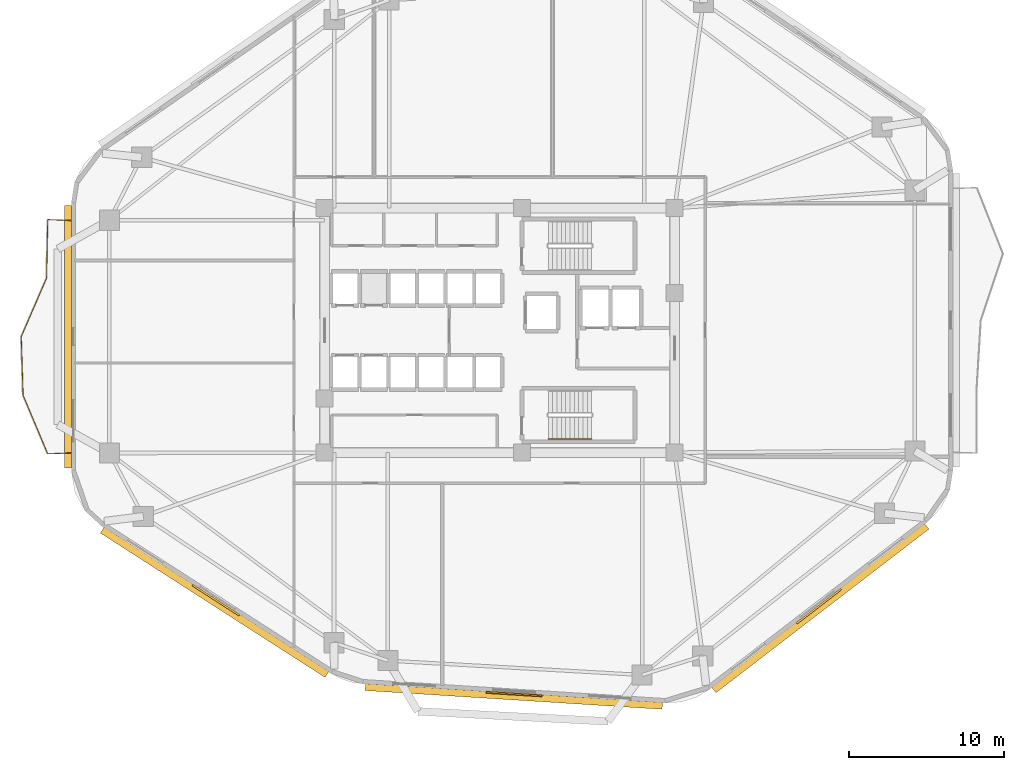
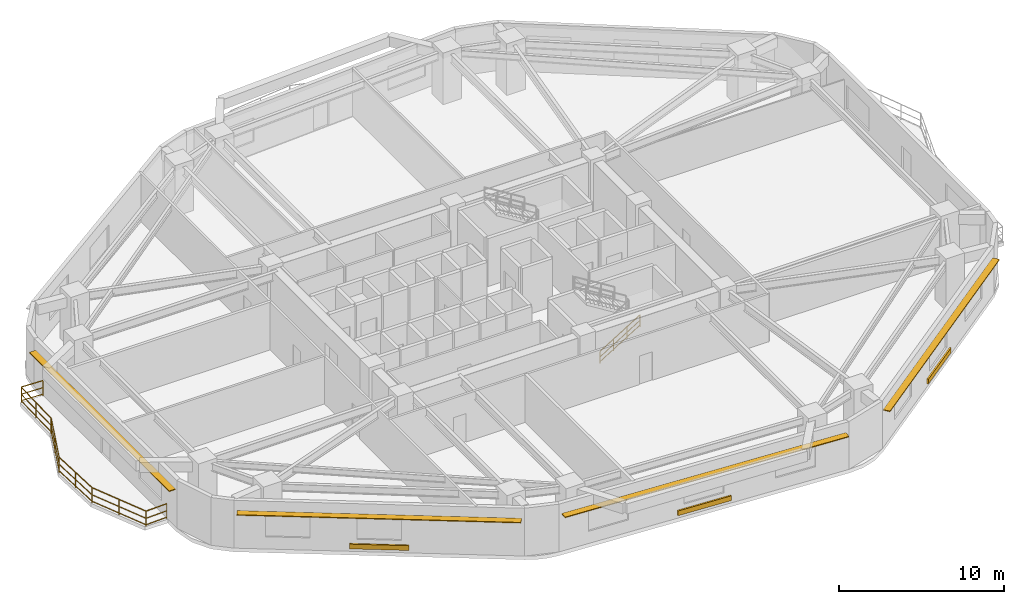
# One storey, part 7 of 10: 7 railings, 7 shading devices.
"""IFC4 building model written with IfcOpenShell, lengths in metres."""

from ifc_helpers import new_model, si_unit, direction, frame, origin, origin_2d, place, context, subcontext, project, spatial, rectangle, extrude, material, layer, layer_set, type_object, element, save


model = new_model("IFC4")

# Units and contexts
model_context = context("Model", 3, precision=1e-05, world=origin(), true_north=direction((0.0, 1.0)))
body_context = subcontext(model_context, "Body", "Model", "MODEL_VIEW")
ifc_project = project(units=[si_unit("LENGTHUNIT", "METRE"), si_unit("AREAUNIT", "SQUARE_METRE"), si_unit("VOLUMEUNIT", "CUBIC_METRE"), si_unit("PLANEANGLEUNIT", "RADIAN"), si_unit("MASSUNIT", "GRAM", prefix="KILO")], contexts=[model_context])

# Site, building, storey
site_placement = place(None, origin())
site = spatial("IfcSite", under=ifc_project, at=site_placement, CompositionType="ELEMENT")
building_placement = place(site_placement, origin())
building = spatial("IfcBuilding", under=site, at=building_placement, Name="Zulverin Broadcast Headquarters", CompositionType="ELEMENT")
storey_placement = place(building_placement, frame((0.0, 0.0, 36.39990234375)))
storey = spatial("IfcBuildingStorey", under=building, at=storey_placement, Name="L08", CompositionType="ELEMENT", Elevation=36.39990234375)

# Railings
ifc_material_1 = material(Name="Brushed stainless steel & laminated glass balustrade", Category="steel")
railing_type_1 = type_object("IfcRailingType", Name="RL-GUARD-1150", PredefinedType="GUARDRAIL", material=ifc_material_1)
railing_1_placement = place(storey_placement, frame((9.360107421875, 32.284423828125, 0.0)))
element("IfcRailing", 1, at=railing_1_placement, inside=storey, type_object=railing_type_1, Name="L08 Vertical-Forest Balcony Guardrail BAL_W Segment 01", PredefinedType="GUARDRAIL", context=body_context, shape_type="SweptSolid", body=[
    extrude(rectangle(XDim=0.048095703125, YDim=0.048095703125, at=origin_2d()), frame((0.0, 0.0, 1.1259765625), z_axis=(-0.999181155166, 0.040460093435, 0.0), x_axis=(-0.040460093435, -0.999181155166, 0.0)), (0.0, 0.0, 1.0), 1.46630859375),
    extrude(rectangle(XDim=0.0419921875, YDim=0.0419921875, at=origin_2d()), frame((0.0, 0.0, 0.597900390625), z_axis=(-0.999181155166, 0.040460093435, 0.0), x_axis=(-0.040460093435, -0.999181155166, 0.0)), (0.0, 0.0, 1.0), 1.46630859375),
    extrude(rectangle(XDim=0.0419921875, YDim=0.0419921875, at=origin_2d()), frame((0.0, 0.0, 0.1201171875), z_axis=(-0.999181155166, 0.040460093435, 0.0), x_axis=(-0.040460093435, -0.999181155166, 0.0)), (0.0, 0.0, 1.0), 1.46630859375),
    extrude(rectangle(XDim=0.0419921875, YDim=0.0419921875, at=origin_2d()), origin(), (0.0, 0.0, 1.0), 1.101806640625),
    extrude(rectangle(XDim=0.0419921875, YDim=0.0419921875, at=origin_2d()), frame((-1.465087890625, 0.059326171875, 0.0)), (0.0, 0.0, 1.0), 1.101806640625),
])
railing_2_placement = place(storey_placement, frame((7.879638671875, 32.329345703125, 0.0)))
element("IfcRailing", 2, at=railing_2_placement, inside=storey, type_object=railing_type_1, Name="L08 Vertical-Forest Balcony Guardrail BAL_W Segment 02", PredefinedType="GUARDRAIL", context=body_context, shape_type="SweptSolid", body=[
    extrude(rectangle(XDim=0.048095703125, YDim=0.048095703125, at=origin_2d()), frame((0.0, 0.0, 1.1259765625), z_axis=(-0.0196832785, -0.999806265507, 0.0), x_axis=(0.999806265507, -0.0196832785, 0.0)), (0.0, 0.0, 1.0), 3.745849609375),
    extrude(rectangle(XDim=0.0419921875, YDim=0.0419921875, at=origin_2d()), frame((0.0, 0.0, 0.597900390625), z_axis=(-0.0196832785, -0.999806265507, 0.0), x_axis=(0.999806265507, -0.0196832785, 0.0)), (0.0, 0.0, 1.0), 3.745849609375),
    extrude(rectangle(XDim=0.0419921875, YDim=0.0419921875, at=origin_2d()), frame((0.0, 0.0, 0.1201171875), z_axis=(-0.0196832785, -0.999806265507, 0.0), x_axis=(0.999806265507, -0.0196832785, 0.0)), (0.0, 0.0, 1.0), 3.745849609375),
    extrude(rectangle(XDim=0.0419921875, YDim=0.0419921875, at=origin_2d()), origin(), (0.0, 0.0, 1.0), 1.101806640625),
    extrude(rectangle(XDim=0.0419921875, YDim=0.0419921875, at=origin_2d()), frame((-0.036865234375, -1.87255859375, 0.0)), (0.0, 0.0, 1.0), 1.101806640625),
    extrude(rectangle(XDim=0.0419921875, YDim=0.0419921875, at=origin_2d()), frame((-0.07373046875, -3.7451171875, 0.0)), (0.0, 0.0, 1.0), 1.101806640625),
])
railing_3_placement = place(storey_placement, frame((7.799560546875, 28.555419921875, 0.0)))
element("IfcRailing", 3, at=railing_3_placement, inside=storey, type_object=railing_type_1, Name="L08 Vertical-Forest Balcony Guardrail BAL_W Segment 03", PredefinedType="GUARDRAIL", context=body_context, shape_type="SweptSolid", body=[
    extrude(rectangle(XDim=0.048095703125, YDim=0.048095703125, at=origin_2d()), frame((0.0, 0.0, 1.1259765625), z_axis=(-0.396969692409, -0.917831718404, 0.0), x_axis=(0.917831718404, -0.396969692409, 0.0)), (0.0, 0.0, 1.0), 4.0830078125),
    extrude(rectangle(XDim=0.0419921875, YDim=0.0419921875, at=origin_2d()), frame((0.0, 0.0, 0.597900390625), z_axis=(-0.396969692409, -0.917831718404, 0.0), x_axis=(0.917831718404, -0.396969692409, 0.0)), (0.0, 0.0, 1.0), 4.0830078125),
    extrude(rectangle(XDim=0.0419921875, YDim=0.0419921875, at=origin_2d()), frame((0.0, 0.0, 0.1201171875), z_axis=(-0.396969692409, -0.917831718404, 0.0), x_axis=(0.917831718404, -0.396969692409, 0.0)), (0.0, 0.0, 1.0), 4.0830078125),
    extrude(rectangle(XDim=0.0419921875, YDim=0.0419921875, at=origin_2d()), origin(), (0.0, 0.0, 1.0), 1.101806640625),
    extrude(rectangle(XDim=0.0419921875, YDim=0.0419921875, at=origin_2d()), frame((-0.810546875, -1.873779296875, 0.0)), (0.0, 0.0, 1.0), 1.101806640625),
    extrude(rectangle(XDim=0.0419921875, YDim=0.0419921875, at=origin_2d()), frame((-1.620849609375, -3.74755859375, 0.0)), (0.0, 0.0, 1.0), 1.101806640625),
])
railing_4_placement = place(storey_placement, frame((6.173095703125, 24.779052734375, 0.0)))
element("IfcRailing", 4, at=railing_4_placement, inside=storey, type_object=railing_type_1, Name="L08 Vertical-Forest Balcony Guardrail BAL_W Segment 04", PredefinedType="GUARDRAIL", context=body_context, shape_type="SweptSolid", body=[
    extrude(rectangle(XDim=0.048095703125, YDim=0.048095703125, at=origin_2d()), frame((0.0, 0.0, 1.1259765625), z_axis=(0.031729013718, -0.999496508092, 0.0), x_axis=(0.999496508092, 0.031729013718, 0.0)), (0.0, 0.0, 1.0), 3.747314453125),
    extrude(rectangle(XDim=0.0419921875, YDim=0.0419921875, at=origin_2d()), frame((0.0, 0.0, 0.597900390625), z_axis=(0.031729013718, -0.999496508092, 0.0), x_axis=(0.999496508092, 0.031729013718, 0.0)), (0.0, 0.0, 1.0), 3.747314453125),
    extrude(rectangle(XDim=0.0419921875, YDim=0.0419921875, at=origin_2d()), frame((0.0, 0.0, 0.1201171875), z_axis=(0.031729013718, -0.999496508092, 0.0), x_axis=(0.999496508092, 0.031729013718, 0.0)), (0.0, 0.0, 1.0), 3.747314453125),
    extrude(rectangle(XDim=0.0419921875, YDim=0.0419921875, at=origin_2d()), origin(), (0.0, 0.0, 1.0), 1.101806640625),
    extrude(rectangle(XDim=0.0419921875, YDim=0.0419921875, at=origin_2d()), frame((0.0595703125, -1.87255859375, 0.0)), (0.0, 0.0, 1.0), 1.101806640625),
    extrude(rectangle(XDim=0.0419921875, YDim=0.0419921875, at=origin_2d()), frame((0.118896484375, -3.745361328125, 0.0)), (0.0, 0.0, 1.0), 1.101806640625),
])
railing_5_placement = place(storey_placement, frame((6.29833984375, 21.0048828125, 0.0)))
element("IfcRailing", 5, at=railing_5_placement, inside=storey, type_object=railing_type_1, Name="L08 Vertical-Forest Balcony Guardrail BAL_W Segment 05", PredefinedType="GUARDRAIL", context=body_context, shape_type="SweptSolid", body=[
    extrude(rectangle(XDim=0.048095703125, YDim=0.048095703125, at=origin_2d()), frame((0.0, 0.0, 1.1259765625), z_axis=(0.387640829917, -0.921810494072, 0.0), x_axis=(0.921810494072, 0.387640829917, 0.0)), (0.0, 0.0, 1.0), 4.0654296875),
    extrude(rectangle(XDim=0.0419921875, YDim=0.0419921875, at=origin_2d()), frame((0.0, 0.0, 0.597900390625), z_axis=(0.387640829917, -0.921810494072, 0.0), x_axis=(0.921810494072, 0.387640829917, 0.0)), (0.0, 0.0, 1.0), 4.0654296875),
    extrude(rectangle(XDim=0.0419921875, YDim=0.0419921875, at=origin_2d()), frame((0.0, 0.0, 0.1201171875), z_axis=(0.387640829917, -0.921810494072, 0.0), x_axis=(0.921810494072, 0.387640829917, 0.0)), (0.0, 0.0, 1.0), 4.0654296875),
    extrude(rectangle(XDim=0.0419921875, YDim=0.0419921875, at=origin_2d()), origin(), (0.0, 0.0, 1.0), 1.101806640625),
    extrude(rectangle(XDim=0.0419921875, YDim=0.0419921875, at=origin_2d()), frame((0.7880859375, -1.873779296875, 0.0)), (0.0, 0.0, 1.0), 1.101806640625),
    extrude(rectangle(XDim=0.0419921875, YDim=0.0419921875, at=origin_2d()), frame((1.575927734375, -3.74755859375, 0.0)), (0.0, 0.0, 1.0), 1.101806640625),
])
railing_6_placement = place(storey_placement, frame((7.89501953125, 17.244140625, 0.0)))
element("IfcRailing", 6, at=railing_6_placement, inside=storey, type_object=railing_type_1, Name="L08 Vertical-Forest Balcony Guardrail BAL_W Segment 06", PredefinedType="GUARDRAIL", context=body_context, shape_type="SweptSolid", body=[
    extrude(rectangle(XDim=0.048095703125, YDim=0.048095703125, at=origin_2d()), frame((0.0, 0.0, 1.1259765625), z_axis=(0.999174410196, 0.040626321628, 0.0), x_axis=(-0.040626321628, 0.999174410196, 0.0)), (0.0, 0.0, 1.0), 1.46630859375),
    extrude(rectangle(XDim=0.0419921875, YDim=0.0419921875, at=origin_2d()), frame((0.0, 0.0, 0.597900390625), z_axis=(0.999174410196, 0.040626321628, 0.0), x_axis=(-0.040626321628, 0.999174410196, 0.0)), (0.0, 0.0, 1.0), 1.46630859375),
    extrude(rectangle(XDim=0.0419921875, YDim=0.0419921875, at=origin_2d()), frame((0.0, 0.0, 0.1201171875), z_axis=(0.999174410196, 0.040626321628, 0.0), x_axis=(-0.040626321628, 0.999174410196, 0.0)), (0.0, 0.0, 1.0), 1.46630859375),
    extrude(rectangle(XDim=0.0419921875, YDim=0.0419921875, at=origin_2d()), origin(), (0.0, 0.0, 1.0), 1.101806640625),
    extrude(rectangle(XDim=0.0419921875, YDim=0.0419921875, at=origin_2d()), frame((1.465087890625, 0.0595703125, 0.0)), (0.0, 0.0, 1.0), 1.101806640625),
])
ifc_material_2 = material(Name="Brushed stainless steel 48 mm handrail", Category="steel")
railing_type_2 = type_object("IfcRailingType", Name="RL-ST-HAND", PredefinedType="HANDRAIL", material=ifc_material_2)
railing_7_placement = place(storey_placement, frame((40.1298828125, 18.199951171875, 0.1728515625)))
element("IfcRailing", 7, at=railing_7_placement, inside=storey, type_object=railing_type_2, Name="L08 ST-2 stair handrail 1", PredefinedType="HANDRAIL", context=body_context, shape_type="SweptSolid", body=[
    extrude(rectangle(XDim=0.048095703125, YDim=0.048095703125, at=origin_2d()), frame((0.0, 0.0, 0.8759765625), z_axis=(0.851089632645, 0.0, 0.525020415988), x_axis=(0.0, 1.0, 0.0)), (0.0, 0.0, 1.0), 3.2900390625),
    extrude(rectangle(XDim=0.0419921875, YDim=0.0419921875, at=origin_2d()), frame((0.0, 0.0, 0.468017578125), z_axis=(0.851089632645, 0.0, 0.525020415988), x_axis=(0.0, 1.0, 0.0)), (0.0, 0.0, 1.0), 3.2900390625),
    extrude(rectangle(XDim=0.0419921875, YDim=0.0419921875, at=origin_2d()), frame((0.0, 0.0, 0.1201171875), z_axis=(0.851089632645, 0.0, 0.525020415988), x_axis=(0.0, 1.0, 0.0)), (0.0, 0.0, 1.0), 3.2900390625),
    extrude(rectangle(XDim=0.0419921875, YDim=0.0419921875, at=origin_2d()), origin(), (0.0, 0.0, 1.0), 0.851806640625),
    extrude(rectangle(XDim=0.0419921875, YDim=0.0419921875, at=origin_2d()), frame((0.933349609375, 0.0, 0.57568359375)), (0.0, 0.0, 1.0), 0.851806640625),
    extrude(rectangle(XDim=0.0419921875, YDim=0.0419921875, at=origin_2d()), frame((1.86669921875, 0.0, 1.151611328125)), (0.0, 0.0, 1.0), 0.851806640625),
    extrude(rectangle(XDim=0.0419921875, YDim=0.0419921875, at=origin_2d()), frame((2.800048828125, 0.0, 1.727294921875)), (0.0, 0.0, 1.0), 0.851806640625),
])

# Shading devices
ifc_material_3 = material(Name="Anodized pale-metal aluminium acoustic louvre", Category="aluminium")
shading_device_type_1 = type_object("IfcShadingDeviceType", Name="SHD-LOUVRE-350", PredefinedType="USERDEFINED", material=ifc_material_3)
for number, where, z_axis, x_axis, name in (
    (8, (37.9189453125, 1.775390625, 0.2451171875), (0.0, 0.0, 1.0), (0.998017182581, -0.062942062821, 0.0), "L08 Spandrel Intake Louvre 1"),
    (9, (57.56103515625, 7.425048828125, 0.2451171875), (0.0, 0.0, 1.0), (0.792933468586, 0.609308226102, 0.0), "L08 Spandrel Intake Louvre 2"),
    (10, (18.71630859375, 7.816162109375, 0.2451171875), (0.0, 0.0, 1.0), (0.841296678234, -0.540573676007, 0.0), "L08 Spandrel Intake Louvre 8"),
):
    element("IfcShadingDevice", number, at=place(storey_placement, frame(where, z_axis=z_axis, x_axis=x_axis)), inside=storey, type_object=shading_device_type_1, Name=name, ObjectType="LOUVRE", PredefinedType="USERDEFINED", context=body_context, shape_type="SweptSolid", body=[
        extrude(rectangle(XDim=3.60009765625, YDim=0.1201171875, at=origin_2d()), origin(), (0.0, 0.0, 1.0), 0.35009765625),
    ])
ifc_material_4 = material(Name="Anodized pale-metal aluminium sunshade", Category="aluminium")
ifc_layer = layer(ifc_material_4, 0.06005859375, Name="Anodized pale-metal aluminium sunshade", Category="aluminium")
ifc_layer_set = layer_set([ifc_layer], Name="Anodized pale-metal aluminium sunshade")
shading_device_type_2 = type_object("IfcShadingDeviceType", Name="SS-01_PALE_METAL_ALUMINIUM_SUNSHADE", PredefinedType="USERDEFINED", material=ifc_layer_set)
shading_device_1_placement = place(storey_placement, frame((37.908935546875, 1.61572265625, 2.7099609375), z_axis=(0.0, 0.0, 1.0), x_axis=(0.998017182581, -0.062942062821, 0.0)))
element("IfcShadingDevice", 11, at=shading_device_1_placement, inside=storey, type_object=shading_device_type_2, Name="L08 Horizontal Pale-Metal Sunshade Band 1", ObjectType="SUNSHADE", PredefinedType="USERDEFINED", context=body_context, shape_type="SweptSolid", body=[
    extrude(rectangle(XDim=19.177001953125, YDim=0.449951171875, at=origin_2d()), origin(), (0.0, 0.0, 1.0), 0.06005859375),
])
shading_device_2_placement = place(storey_placement, frame((57.658447265625, 7.29833984375, 2.7099609375), z_axis=(0.0, 0.0, 1.0), x_axis=(0.792933468586, 0.609308226102, 0.0)))
element("IfcShadingDevice", 12, at=shading_device_2_placement, inside=storey, type_object=shading_device_type_2, Name="L08 Horizontal Pale-Metal Sunshade Band 2", ObjectType="SUNSHADE", PredefinedType="USERDEFINED", context=body_context, shape_type="SweptSolid", body=[
    extrude(rectangle(XDim=17.312744140625, YDim=0.449951171875, at=origin_2d()), origin(), (0.0, 0.0, 1.0), 0.06005859375),
])
shading_device_3_placement = place(storey_placement, frame((9.199951171875, 24.7939453125, 2.7099609375), z_axis=(0.0, 0.0, 1.0), x_axis=(0.0, -1.0, 0.0)))
element("IfcShadingDevice", 13, at=shading_device_3_placement, inside=storey, type_object=shading_device_type_2, Name="L08 Horizontal Pale-Metal Sunshade Band 7", ObjectType="SUNSHADE", PredefinedType="USERDEFINED", context=body_context, shape_type="SweptSolid", body=[
    extrude(rectangle(XDim=16.90087890625, YDim=0.449951171875, at=origin_2d()), origin(), (0.0, 0.0, 1.0), 0.06005859375),
])
shading_device_4_placement = place(storey_placement, frame((18.6298828125, 7.681640625, 2.7099609375), z_axis=(0.0, 0.0, 1.0), x_axis=(0.841296678234, -0.540573676007, 0.0)))
element("IfcShadingDevice", 14, at=shading_device_4_placement, inside=storey, type_object=shading_device_type_2, Name="L08 Horizontal Pale-Metal Sunshade Band 8", ObjectType="SUNSHADE", PredefinedType="USERDEFINED", context=body_context, shape_type="SweptSolid", body=[
    extrude(rectangle(XDim=17.2119140625, YDim=0.449951171875, at=origin_2d()), origin(), (0.0, 0.0, 1.0), 0.06005859375),
])

save(model, "model.ifc")
